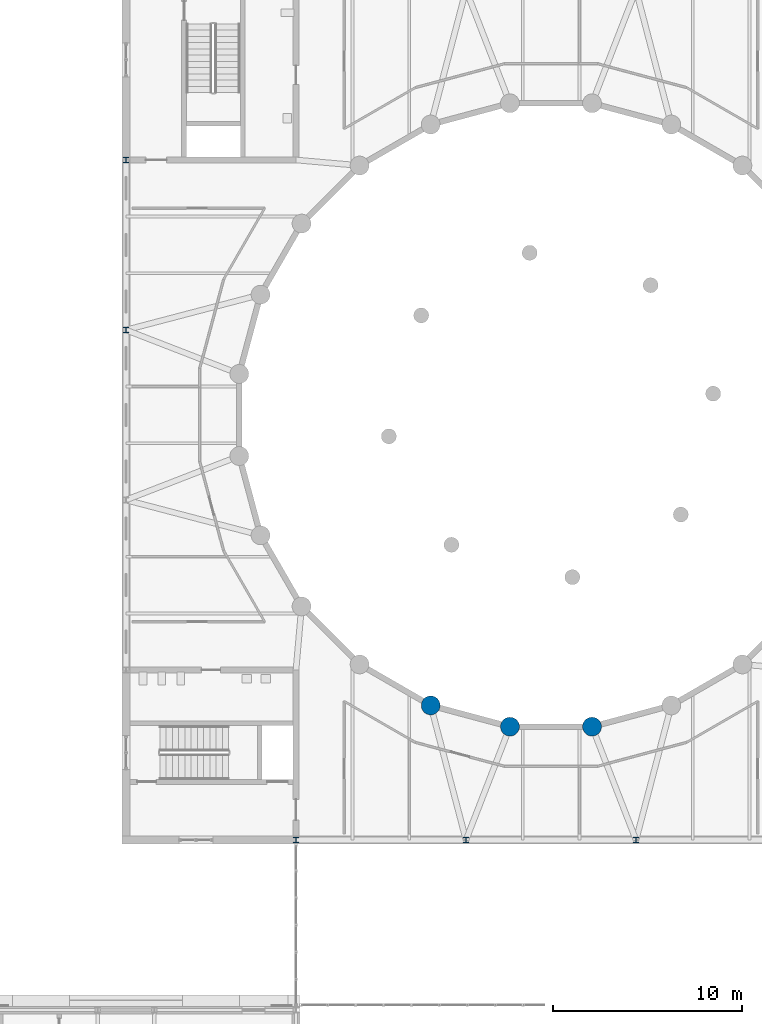
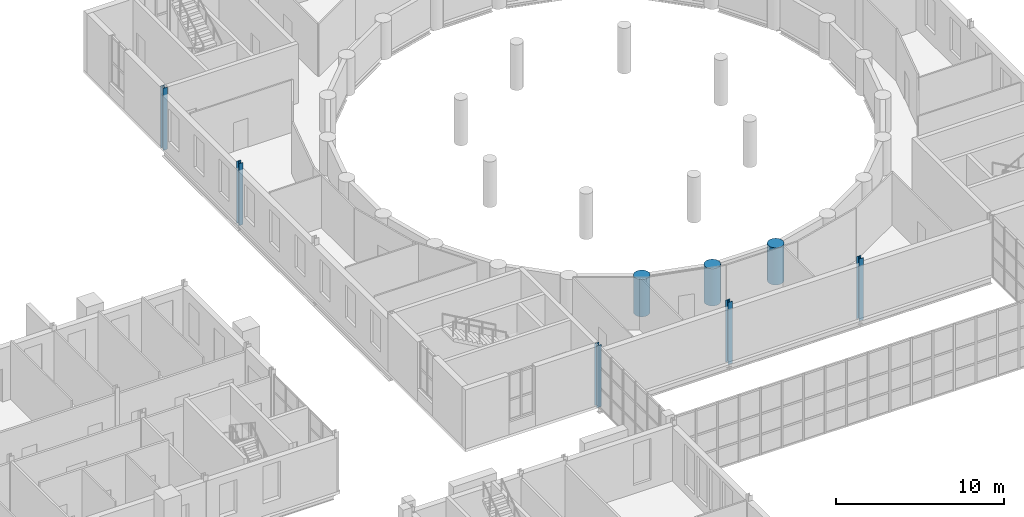
# One storey, part 11 of 134: 8 columns.
"""IFC4 building model written with IfcOpenShell, lengths in metres."""

from ifc_helpers import new_model, si_unit, direction, frame, origin, origin_2d, place, context, subcontext, project, spatial, circle, i_section, extrude, material, material_profile, profile_set, type_object, element, save


model = new_model("IFC4")

# Units and contexts
model_context = context("Model", 3, precision=1e-05, world=origin(), true_north=direction((0.0, 1.0)))
body_context = subcontext(model_context, "Body", "Model", "MODEL_VIEW")
ifc_project = project(units=[si_unit("LENGTHUNIT", "METRE"), si_unit("AREAUNIT", "SQUARE_METRE"), si_unit("VOLUMEUNIT", "CUBIC_METRE"), si_unit("PLANEANGLEUNIT", "RADIAN"), si_unit("MASSUNIT", "GRAM", prefix="KILO")], contexts=[model_context])

# Site, building, storey
site_placement = place(None, origin())
site = spatial("IfcSite", under=ifc_project, at=site_placement, CompositionType="ELEMENT")
building_placement = place(site_placement, origin())
building = spatial("IfcBuilding", under=site, at=building_placement, Name="Golden Quay Civic Hall", CompositionType="ELEMENT")
storey_placement = place(building_placement, frame((0.0, 0.0, 5.39990234375)))
storey = spatial("IfcBuildingStorey", under=building, at=storey_placement, Name="L01", CompositionType="ELEMENT", Elevation=5.39990234375)

# Columns
ifc_material_1 = material(Name="Concrete C50/60", Category="concrete")
ifc_material_profile_1 = material_profile(ifc_material_1, circle(Radius=0.5, at=origin_2d()), Name="RC D1000")
ifc_profile_set_1 = profile_set([ifc_material_profile_1], Name="Concrete C50/60")
column_type_1 = type_object("IfcColumnType", Name="Reinforced concrete column D1000", PredefinedType="COLUMN", material=ifc_profile_set_1)
for number, where, z_axis, x_axis, name in (
    (1, (79.13134765625, 70.12451171875, -0.199951171875), (0.0, 0.0, 1.0), (1.0, 0.0, 0.0), "Rotunda colonnade column 17"),
    (2, (83.32763671875, 69.0, -0.199951171875), (0.0, 0.0, 1.0), (1.0, 0.0, 0.0), "Rotunda colonnade column 18"),
    (3, (87.67236328125, 69.0, -0.199951171875), (0.0, 0.0, 1.0), (1.0, 0.0, 0.0), "Rotunda colonnade column 19"),
):
    element("IfcColumn", number, at=place(storey_placement, frame(where, z_axis=z_axis, x_axis=x_axis)), inside=storey, type_object=column_type_1, Name=name, PredefinedType="COLUMN", context=body_context, shape_type="SweptSolid", body=[
        extrude(circle(Radius=0.5, at=origin_2d()), origin(), (0.0, 0.0, 1.0), 2.699951171875),
    ])
ifc_material_2 = material(Name="Steel S355", Category="steel")
ifc_material_profile_2 = material_profile(ifc_material_2, i_section(OverallWidth=0.300048828125, OverallDepth=0.300048828125, WebThickness=0.010986328125, FlangeThickness=0.01904296875, FilletRadius=0.027099609375, at=origin_2d()), Name="HEB 300")
ifc_profile_set_2 = profile_set([ifc_material_profile_2], Name="Steel S355")
column_type_2 = type_object("IfcColumnType", Name="Steel column HEB 300", PredefinedType="COLUMN", material=ifc_profile_set_2)
for number, where, z_axis, x_axis, name in (
    (4, (81.0, 63.0, -0.199951171875), (0.0, 0.0, 1.0), (1.0, 0.0, 0.0), "Base column 1"),
    (5, (90.0, 63.0, -0.199951171875), (0.0, 0.0, 1.0), (1.0, 0.0, 0.0), "Base column 2"),
    (6, (63.0, 90.0, -0.199951171875), (0.0, 0.0, 1.0), (1.0, 0.0, 0.0), "Base column 6"),
    (7, (72.0, 63.0, -0.199951171875), (0.0, 0.0, 1.0), (1.0, 0.0, 0.0), "Base column 9"),
    (8, (63.0, 99.0, -0.199951171875), (0.0, 0.0, 1.0), (1.0, 0.0, 0.0), "Base column 14"),
):
    element("IfcColumn", number, at=place(storey_placement, frame(where, z_axis=z_axis, x_axis=x_axis)), inside=storey, type_object=column_type_2, Name=name, PredefinedType="COLUMN", context=body_context, shape_type="SweptSolid", body=[
        extrude(i_section(OverallWidth=0.300048828125, OverallDepth=0.300048828125, WebThickness=0.010986328125, FlangeThickness=0.01904296875, FilletRadius=0.027099609375, at=origin_2d()), origin(), (0.0, 0.0, 1.0), 4.5),
    ])

save(model, "model.ifc")
